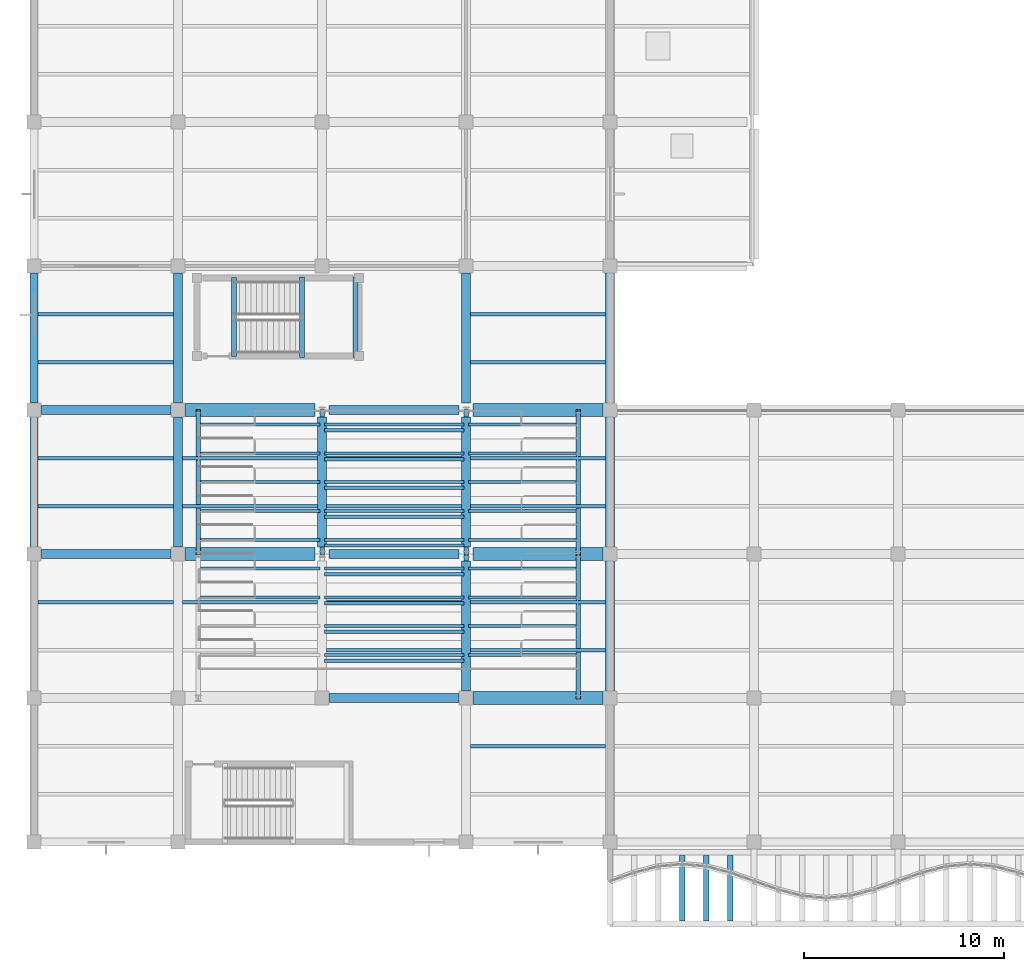
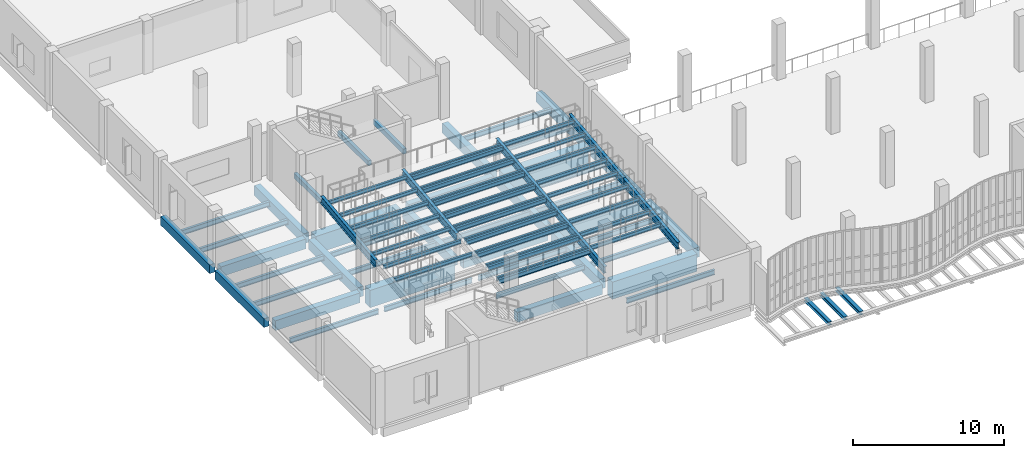
# One storey, part 12 of 108: 86 beams.
"""IFC4 building model written with IfcOpenShell, lengths in metres."""

from ifc_helpers import new_model, si_unit, direction, frame, origin, origin_2d, place, context, subcontext, project, spatial, rectangle, i_section, extrude, material, material_profile, profile_set, type_object, element, save


model = new_model("IFC4")

# Units and contexts
model_context = context("Model", 3, precision=1e-05, world=origin(), true_north=direction((0.0, 1.0)))
body_context = subcontext(model_context, "Body", "Model", "MODEL_VIEW")
ifc_project = project(units=[si_unit("LENGTHUNIT", "METRE"), si_unit("AREAUNIT", "SQUARE_METRE"), si_unit("VOLUMEUNIT", "CUBIC_METRE"), si_unit("PLANEANGLEUNIT", "RADIAN"), si_unit("MASSUNIT", "GRAM", prefix="KILO"), si_unit("THERMODYNAMICTEMPERATUREUNIT", "KELVIN"), si_unit("POWERUNIT", "WATT")], contexts=[model_context])

# Site, building, storey
site_placement = place(None, origin())
site = spatial("IfcSite", under=ifc_project, at=site_placement, CompositionType="ELEMENT")
building_placement = place(site_placement, origin())
building = spatial("IfcBuilding", under=site, at=building_placement, Name="Kaldorven Railside Theatre", CompositionType="ELEMENT")
storey_placement = place(building_placement, frame((0.0, 0.0, 5.39990234375)))
storey = spatial("IfcBuildingStorey", under=building, at=storey_placement, Name="L01", CompositionType="ELEMENT", Elevation=5.39990234375)

# Beams
ifc_material_1 = material(Name="Steel S355", Category="steel")
ifc_material_profile_1 = material_profile(ifc_material_1, i_section(OverallWidth=0.280029296875, OverallDepth=0.280029296875, WebThickness=0.010498046875, FlangeThickness=0.01806640625, at=origin_2d()), Name="HEB 280")
ifc_profile_set_1 = profile_set([ifc_material_profile_1], Name="Steel S355")
beam_type_1 = type_object("IfcBeamType", Name="BM-HEB280", PredefinedType="SPANDREL", material=ifc_profile_set_1)
for number, where, z_axis, x_axis, name in (
    (1, (40.39990234375, 15.260009765625, -0.719970703125), (0.0, 1.0, 0.0), (-1.0, 0.0, 0.0), "L01 Sinusoidal Diaphragm Rib Outrigger FOB-M004"),
    (2, (41.60009765625, 15.260009765625, -0.719970703125), (0.0, 1.0, 0.0), (-1.0, 0.0, 0.0), "L01 Sinusoidal Diaphragm Rib Outrigger FOB-M005"),
    (3, (42.800048828125, 15.260009765625, -0.719970703125), (0.0, 1.0, 0.0), (-1.0, 0.0, 0.0), "L01 Sinusoidal Diaphragm Rib Outrigger FOB-M006"),
):
    element("IfcBeam", number, at=place(storey_placement, frame(where, z_axis=z_axis, x_axis=x_axis)), inside=storey, type_object=beam_type_1, Name=name, PredefinedType="SPANDREL", context=body_context, shape_type="SweptSolid", body=[
        extrude(i_section(OverallWidth=0.280029296875, OverallDepth=0.280029296875, WebThickness=0.010498046875, FlangeThickness=0.01806640625, at=origin_2d()), origin(), (0.0, 0.0, 1.0), 3.280029296875),
    ])
ifc_material_profile_2 = material_profile(ifc_material_1, i_section(OverallWidth=0.14990234375, OverallDepth=0.300048828125, WebThickness=0.007080078125, FlangeThickness=0.0107421875, at=origin_2d()), Name="IPE 300")
ifc_profile_set_2 = profile_set([ifc_material_profile_2], Name="Steel S355")
beam_type_2 = type_object("IfcBeamType", Name="BM-IPE300", PredefinedType="JOIST", material=ifc_profile_set_2)
beam_1_placement = place(storey_placement, frame((22.510009765625, 28.56005859375, 1.090087890625), z_axis=(1.0, 0.0, 0.0), x_axis=(0.0, 1.0, 0.0)))
element("IfcBeam", 4, at=beam_1_placement, inside=storey, type_object=beam_type_2, Name="Seating Tier Transverse Bearer TBR-V3S-022", PredefinedType="JOIST", context=body_context, shape_type="SweptSolid", body=[
    extrude(i_section(OverallWidth=0.14990234375, OverallDepth=0.300048828125, WebThickness=0.007080078125, FlangeThickness=0.0107421875, at=origin_2d()), origin(), (0.0, 0.0, 1.0), 6.97998046875),
])
beam_2_placement = place(storey_placement, frame((29.7099609375, 28.56005859375, 1.090087890625), z_axis=(1.0, 0.0, 0.0), x_axis=(0.0, 1.0, 0.0)))
element("IfcBeam", 5, at=beam_2_placement, inside=storey, type_object=beam_type_2, Name="Seating Tier Transverse Bearer TBR-V3S-023", PredefinedType="JOIST", context=body_context, shape_type="SweptSolid", body=[
    extrude(i_section(OverallWidth=0.14990234375, OverallDepth=0.300048828125, WebThickness=0.007080078125, FlangeThickness=0.0107421875, at=origin_2d()), origin(), (0.0, 0.0, 1.0), 5.380126953125),
])
beam_3_placement = place(storey_placement, frame((22.510009765625, 30.0, 1.260009765625), z_axis=(1.0, 0.0, 0.0), x_axis=(0.0, 1.0, 0.0)))
element("IfcBeam", 6, at=beam_3_placement, inside=storey, type_object=beam_type_2, Name="Seating Tier Transverse Bearer TBR-V3S-032", PredefinedType="JOIST", context=body_context, shape_type="SweptSolid", body=[
    extrude(i_section(OverallWidth=0.14990234375, OverallDepth=0.300048828125, WebThickness=0.007080078125, FlangeThickness=0.0107421875, at=origin_2d()), origin(), (0.0, 0.0, 1.0), 6.97998046875),
])
beam_4_placement = place(storey_placement, frame((29.7099609375, 30.0, 1.260009765625), z_axis=(1.0, 0.0, 0.0), x_axis=(0.0, 1.0, 0.0)))
element("IfcBeam", 7, at=beam_4_placement, inside=storey, type_object=beam_type_2, Name="Seating Tier Transverse Bearer TBR-V3S-033", PredefinedType="JOIST", context=body_context, shape_type="SweptSolid", body=[
    extrude(i_section(OverallWidth=0.14990234375, OverallDepth=0.300048828125, WebThickness=0.007080078125, FlangeThickness=0.0107421875, at=origin_2d()), origin(), (0.0, 0.0, 1.0), 5.380126953125),
])
beam_5_placement = place(storey_placement, frame((16.31005859375, 31.43994140625, 1.43017578125), z_axis=(1.0, 0.0, 0.0), x_axis=(0.0, 1.0, 0.0)))
element("IfcBeam", 8, at=beam_5_placement, inside=storey, type_object=beam_type_2, Name="Seating Tier Transverse Bearer TBR-V3S-041", PredefinedType="JOIST", context=body_context, shape_type="SweptSolid", body=[
    extrude(i_section(OverallWidth=0.14990234375, OverallDepth=0.300048828125, WebThickness=0.007080078125, FlangeThickness=0.0107421875, at=origin_2d()), origin(), (0.0, 0.0, 1.0), 5.97998046875),
])
beam_6_placement = place(storey_placement, frame((22.510009765625, 31.43994140625, 1.43017578125), z_axis=(1.0, 0.0, 0.0), x_axis=(0.0, 1.0, 0.0)))
element("IfcBeam", 9, at=beam_6_placement, inside=storey, type_object=beam_type_2, Name="Seating Tier Transverse Bearer TBR-V3S-042", PredefinedType="JOIST", context=body_context, shape_type="SweptSolid", body=[
    extrude(i_section(OverallWidth=0.14990234375, OverallDepth=0.300048828125, WebThickness=0.007080078125, FlangeThickness=0.0107421875, at=origin_2d()), origin(), (0.0, 0.0, 1.0), 6.97998046875),
])
beam_7_placement = place(storey_placement, frame((29.7099609375, 31.43994140625, 1.43017578125), z_axis=(1.0, 0.0, 0.0), x_axis=(0.0, 1.0, 0.0)))
element("IfcBeam", 10, at=beam_7_placement, inside=storey, type_object=beam_type_2, Name="Seating Tier Transverse Bearer TBR-V3S-043", PredefinedType="JOIST", context=body_context, shape_type="SweptSolid", body=[
    extrude(i_section(OverallWidth=0.14990234375, OverallDepth=0.300048828125, WebThickness=0.007080078125, FlangeThickness=0.0107421875, at=origin_2d()), origin(), (0.0, 0.0, 1.0), 5.380126953125),
])
beam_8_placement = place(storey_placement, frame((16.31005859375, 32.8798828125, 1.60009765625), z_axis=(1.0, 0.0, 0.0), x_axis=(0.0, 1.0, 0.0)))
element("IfcBeam", 11, at=beam_8_placement, inside=storey, type_object=beam_type_2, Name="Seating Tier Transverse Bearer TBR-V3S-051", PredefinedType="JOIST", context=body_context, shape_type="SweptSolid", body=[
    extrude(i_section(OverallWidth=0.14990234375, OverallDepth=0.300048828125, WebThickness=0.007080078125, FlangeThickness=0.0107421875, at=origin_2d()), origin(), (0.0, 0.0, 1.0), 5.97998046875),
])
beam_9_placement = place(storey_placement, frame((22.510009765625, 32.8798828125, 1.60009765625), z_axis=(1.0, 0.0, 0.0), x_axis=(0.0, 1.0, 0.0)))
element("IfcBeam", 12, at=beam_9_placement, inside=storey, type_object=beam_type_2, Name="Seating Tier Transverse Bearer TBR-V3S-052", PredefinedType="JOIST", context=body_context, shape_type="SweptSolid", body=[
    extrude(i_section(OverallWidth=0.14990234375, OverallDepth=0.300048828125, WebThickness=0.007080078125, FlangeThickness=0.0107421875, at=origin_2d()), origin(), (0.0, 0.0, 1.0), 6.97998046875),
])
beam_10_placement = place(storey_placement, frame((29.7099609375, 32.8798828125, 1.60009765625), z_axis=(1.0, 0.0, 0.0), x_axis=(0.0, 1.0, 0.0)))
element("IfcBeam", 13, at=beam_10_placement, inside=storey, type_object=beam_type_2, Name="Seating Tier Transverse Bearer TBR-V3S-053", PredefinedType="JOIST", context=body_context, shape_type="SweptSolid", body=[
    extrude(i_section(OverallWidth=0.14990234375, OverallDepth=0.300048828125, WebThickness=0.007080078125, FlangeThickness=0.0107421875, at=origin_2d()), origin(), (0.0, 0.0, 1.0), 5.380126953125),
])
beam_11_placement = place(storey_placement, frame((16.31005859375, 34.320068359375, 1.77001953125), z_axis=(1.0, 0.0, 0.0), x_axis=(0.0, 1.0, 0.0)))
element("IfcBeam", 14, at=beam_11_placement, inside=storey, type_object=beam_type_2, Name="Seating Tier Transverse Bearer TBR-V3S-061", PredefinedType="JOIST", context=body_context, shape_type="SweptSolid", body=[
    extrude(i_section(OverallWidth=0.14990234375, OverallDepth=0.300048828125, WebThickness=0.007080078125, FlangeThickness=0.0107421875, at=origin_2d()), origin(), (0.0, 0.0, 1.0), 5.97998046875),
])
beam_12_placement = place(storey_placement, frame((22.510009765625, 34.320068359375, 1.77001953125), z_axis=(1.0, 0.0, 0.0), x_axis=(0.0, 1.0, 0.0)))
element("IfcBeam", 15, at=beam_12_placement, inside=storey, type_object=beam_type_2, Name="Seating Tier Transverse Bearer TBR-V3S-062", PredefinedType="JOIST", context=body_context, shape_type="SweptSolid", body=[
    extrude(i_section(OverallWidth=0.14990234375, OverallDepth=0.300048828125, WebThickness=0.007080078125, FlangeThickness=0.0107421875, at=origin_2d()), origin(), (0.0, 0.0, 1.0), 6.97998046875),
])
beam_13_placement = place(storey_placement, frame((29.7099609375, 34.320068359375, 1.77001953125), z_axis=(1.0, 0.0, 0.0), x_axis=(0.0, 1.0, 0.0)))
element("IfcBeam", 16, at=beam_13_placement, inside=storey, type_object=beam_type_2, Name="Seating Tier Transverse Bearer TBR-V3S-063", PredefinedType="JOIST", context=body_context, shape_type="SweptSolid", body=[
    extrude(i_section(OverallWidth=0.14990234375, OverallDepth=0.300048828125, WebThickness=0.007080078125, FlangeThickness=0.0107421875, at=origin_2d()), origin(), (0.0, 0.0, 1.0), 5.380126953125),
])
beam_14_placement = place(storey_placement, frame((16.31005859375, 35.760009765625, 1.940185546875), z_axis=(1.0, 0.0, 0.0), x_axis=(0.0, 1.0, 0.0)))
element("IfcBeam", 17, at=beam_14_placement, inside=storey, type_object=beam_type_2, Name="Seating Tier Transverse Bearer TBR-V3S-071", PredefinedType="JOIST", context=body_context, shape_type="SweptSolid", body=[
    extrude(i_section(OverallWidth=0.14990234375, OverallDepth=0.300048828125, WebThickness=0.007080078125, FlangeThickness=0.0107421875, at=origin_2d()), origin(), (0.0, 0.0, 1.0), 5.97998046875),
])
beam_15_placement = place(storey_placement, frame((22.510009765625, 35.760009765625, 1.940185546875), z_axis=(1.0, 0.0, 0.0), x_axis=(0.0, 1.0, 0.0)))
element("IfcBeam", 18, at=beam_15_placement, inside=storey, type_object=beam_type_2, Name="Seating Tier Transverse Bearer TBR-V3S-072", PredefinedType="JOIST", context=body_context, shape_type="SweptSolid", body=[
    extrude(i_section(OverallWidth=0.14990234375, OverallDepth=0.300048828125, WebThickness=0.007080078125, FlangeThickness=0.0107421875, at=origin_2d()), origin(), (0.0, 0.0, 1.0), 6.97998046875),
])
beam_16_placement = place(storey_placement, frame((29.7099609375, 35.760009765625, 1.940185546875), z_axis=(1.0, 0.0, 0.0), x_axis=(0.0, 1.0, 0.0)))
element("IfcBeam", 19, at=beam_16_placement, inside=storey, type_object=beam_type_2, Name="Seating Tier Transverse Bearer TBR-V3S-073", PredefinedType="JOIST", context=body_context, shape_type="SweptSolid", body=[
    extrude(i_section(OverallWidth=0.14990234375, OverallDepth=0.300048828125, WebThickness=0.007080078125, FlangeThickness=0.0107421875, at=origin_2d()), origin(), (0.0, 0.0, 1.0), 5.380126953125),
])
beam_17_placement = place(storey_placement, frame((16.31005859375, 37.199951171875, 2.110107421875), z_axis=(1.0, 0.0, 0.0), x_axis=(0.0, 1.0, 0.0)))
element("IfcBeam", 20, at=beam_17_placement, inside=storey, type_object=beam_type_2, Name="Seating Tier Transverse Bearer TBR-V3S-081", PredefinedType="JOIST", context=body_context, shape_type="SweptSolid", body=[
    extrude(i_section(OverallWidth=0.14990234375, OverallDepth=0.300048828125, WebThickness=0.007080078125, FlangeThickness=0.0107421875, at=origin_2d()), origin(), (0.0, 0.0, 1.0), 5.97998046875),
])
beam_18_placement = place(storey_placement, frame((22.510009765625, 37.199951171875, 2.110107421875), z_axis=(1.0, 0.0, 0.0), x_axis=(0.0, 1.0, 0.0)))
element("IfcBeam", 21, at=beam_18_placement, inside=storey, type_object=beam_type_2, Name="Seating Tier Transverse Bearer TBR-V3S-082", PredefinedType="JOIST", context=body_context, shape_type="SweptSolid", body=[
    extrude(i_section(OverallWidth=0.14990234375, OverallDepth=0.300048828125, WebThickness=0.007080078125, FlangeThickness=0.0107421875, at=origin_2d()), origin(), (0.0, 0.0, 1.0), 6.97998046875),
])
beam_19_placement = place(storey_placement, frame((29.7099609375, 37.199951171875, 2.110107421875), z_axis=(1.0, 0.0, 0.0), x_axis=(0.0, 1.0, 0.0)))
element("IfcBeam", 22, at=beam_19_placement, inside=storey, type_object=beam_type_2, Name="Seating Tier Transverse Bearer TBR-V3S-083", PredefinedType="JOIST", context=body_context, shape_type="SweptSolid", body=[
    extrude(i_section(OverallWidth=0.14990234375, OverallDepth=0.300048828125, WebThickness=0.007080078125, FlangeThickness=0.0107421875, at=origin_2d()), origin(), (0.0, 0.0, 1.0), 5.380126953125),
])
beam_20_placement = place(storey_placement, frame((16.31005859375, 38.639892578125, 2.280029296875), z_axis=(1.0, 0.0, 0.0), x_axis=(0.0, 1.0, 0.0)))
element("IfcBeam", 23, at=beam_20_placement, inside=storey, type_object=beam_type_2, Name="Seating Tier Transverse Bearer TBR-V3S-091", PredefinedType="JOIST", context=body_context, shape_type="SweptSolid", body=[
    extrude(i_section(OverallWidth=0.14990234375, OverallDepth=0.300048828125, WebThickness=0.007080078125, FlangeThickness=0.0107421875, at=origin_2d()), origin(), (0.0, 0.0, 1.0), 5.97998046875),
])
beam_21_placement = place(storey_placement, frame((22.510009765625, 38.639892578125, 2.280029296875), z_axis=(1.0, 0.0, 0.0), x_axis=(0.0, 1.0, 0.0)))
element("IfcBeam", 24, at=beam_21_placement, inside=storey, type_object=beam_type_2, Name="Seating Tier Transverse Bearer TBR-V3S-092", PredefinedType="JOIST", context=body_context, shape_type="SweptSolid", body=[
    extrude(i_section(OverallWidth=0.14990234375, OverallDepth=0.300048828125, WebThickness=0.007080078125, FlangeThickness=0.0107421875, at=origin_2d()), origin(), (0.0, 0.0, 1.0), 6.97998046875),
])
beam_22_placement = place(storey_placement, frame((29.7099609375, 38.639892578125, 2.280029296875), z_axis=(1.0, 0.0, 0.0), x_axis=(0.0, 1.0, 0.0)))
element("IfcBeam", 25, at=beam_22_placement, inside=storey, type_object=beam_type_2, Name="Seating Tier Transverse Bearer TBR-V3S-093", PredefinedType="JOIST", context=body_context, shape_type="SweptSolid", body=[
    extrude(i_section(OverallWidth=0.14990234375, OverallDepth=0.300048828125, WebThickness=0.007080078125, FlangeThickness=0.0107421875, at=origin_2d()), origin(), (0.0, 0.0, 1.0), 5.380126953125),
])
beam_23_placement = place(storey_placement, frame((16.31005859375, 40.080078125, 2.4501953125), z_axis=(1.0, 0.0, 0.0), x_axis=(0.0, 1.0, 0.0)))
element("IfcBeam", 26, at=beam_23_placement, inside=storey, type_object=beam_type_2, Name="Seating Tier Transverse Bearer TBR-V3S-101", PredefinedType="JOIST", context=body_context, shape_type="SweptSolid", body=[
    extrude(i_section(OverallWidth=0.14990234375, OverallDepth=0.300048828125, WebThickness=0.007080078125, FlangeThickness=0.0107421875, at=origin_2d()), origin(), (0.0, 0.0, 1.0), 5.97998046875),
])
beam_24_placement = place(storey_placement, frame((22.510009765625, 40.080078125, 2.4501953125), z_axis=(1.0, 0.0, 0.0), x_axis=(0.0, 1.0, 0.0)))
element("IfcBeam", 27, at=beam_24_placement, inside=storey, type_object=beam_type_2, Name="Seating Tier Transverse Bearer TBR-V3S-102", PredefinedType="JOIST", context=body_context, shape_type="SweptSolid", body=[
    extrude(i_section(OverallWidth=0.14990234375, OverallDepth=0.300048828125, WebThickness=0.007080078125, FlangeThickness=0.0107421875, at=origin_2d()), origin(), (0.0, 0.0, 1.0), 6.97998046875),
])
beam_25_placement = place(storey_placement, frame((29.7099609375, 40.080078125, 2.4501953125), z_axis=(1.0, 0.0, 0.0), x_axis=(0.0, 1.0, 0.0)))
element("IfcBeam", 28, at=beam_25_placement, inside=storey, type_object=beam_type_2, Name="Seating Tier Transverse Bearer TBR-V3S-103", PredefinedType="JOIST", context=body_context, shape_type="SweptSolid", body=[
    extrude(i_section(OverallWidth=0.14990234375, OverallDepth=0.300048828125, WebThickness=0.007080078125, FlangeThickness=0.0107421875, at=origin_2d()), origin(), (0.0, 0.0, 1.0), 5.380126953125),
])
ifc_material_profile_3 = material_profile(ifc_material_1, i_section(OverallWidth=0.169921875, OverallDepth=0.360107421875, WebThickness=0.008056640625, FlangeThickness=0.0126953125, at=origin_2d()), Name="IPE 360")
ifc_profile_set_3 = profile_set([ifc_material_profile_3], Name="Steel S355")
beam_type_3 = type_object("IfcBeamType", Name="BM-IPE360", PredefinedType="JOIST", material=ifc_profile_set_3)
for number, where, z_axis, x_axis, name in (
    (29, (22.510009765625, 28.27197265625, 1.06005859375), (1.0, 0.0, 0.0), (0.0, 1.0, 0.0), "Seating Tier Front Step Bearer TBF-V3S-02"),
    (30, (22.510009765625, 29.7119140625, 1.22998046875), (1.0, 0.0, 0.0), (0.0, 1.0, 0.0), "Seating Tier Front Step Bearer TBF-V3S-03"),
    (31, (22.510009765625, 31.152099609375, 1.400146484375), (1.0, 0.0, 0.0), (0.0, 1.0, 0.0), "Seating Tier Front Step Bearer TBF-V3S-04"),
    (32, (22.510009765625, 32.592041015625, 1.570068359375), (1.0, 0.0, 0.0), (0.0, 1.0, 0.0), "Seating Tier Front Step Bearer TBF-V3S-05"),
    (33, (22.510009765625, 34.031982421875, 1.739990234375), (1.0, 0.0, 0.0), (0.0, 1.0, 0.0), "Seating Tier Front Step Bearer TBF-V3S-06"),
    (34, (22.510009765625, 35.471923828125, 1.91015625), (1.0, 0.0, 0.0), (0.0, 1.0, 0.0), "Seating Tier Front Step Bearer TBF-V3S-07"),
    (35, (22.510009765625, 36.912109375, 2.080078125), (1.0, 0.0, 0.0), (0.0, 1.0, 0.0), "Seating Tier Front Step Bearer TBF-V3S-08"),
    (36, (22.510009765625, 38.35205078125, 2.25), (1.0, 0.0, 0.0), (0.0, 1.0, 0.0), "Seating Tier Front Step Bearer TBF-V3S-09"),
    (37, (22.510009765625, 39.7919921875, 2.420166015625), (1.0, 0.0, 0.0), (0.0, 1.0, 0.0), "Seating Tier Front Step Bearer TBF-V3S-10"),
):
    element("IfcBeam", number, at=place(storey_placement, frame(where, z_axis=z_axis, x_axis=x_axis)), inside=storey, type_object=beam_type_3, Name=name, PredefinedType="JOIST", context=body_context, shape_type="SweptSolid", body=[
        extrude(i_section(OverallWidth=0.169921875, OverallDepth=0.360107421875, WebThickness=0.008056640625, FlangeThickness=0.0126953125, at=origin_2d()), origin(), (0.0, 0.0, 1.0), 6.97998046875),
    ])
ifc_material_profile_4 = material_profile(ifc_material_1, i_section(OverallWidth=0.179931640625, OverallDepth=0.39990234375, WebThickness=0.008544921875, FlangeThickness=0.013427734375, at=origin_2d()), Name="IPE 400")
ifc_profile_set_4 = profile_set([ifc_material_profile_4], Name="Steel S355")
beam_type_4 = type_object("IfcBeamType", Name="BM-IPE400", PredefinedType="JOIST", material=ifc_profile_set_4)
beam_26_placement = place(storey_placement, frame((29.824951171875, 24.0, -0.47998046875), z_axis=(1.0, 0.0, 0.0), x_axis=(0.0, 1.0, 0.0)))
element("IfcBeam", 38, at=beam_26_placement, inside=storey, type_object=beam_type_4, Name="L01 Secondary Floor Joist JG-L01-029-0240", PredefinedType="JOIST", context=body_context, shape_type="SweptSolid", body=[
    extrude(i_section(OverallWidth=0.179931640625, OverallDepth=0.39990234375, WebThickness=0.008544921875, FlangeThickness=0.013427734375, at=origin_2d()), origin(), (0.0, 0.0, 1.0), 6.75),
])
beam_27_placement = place(storey_placement, frame((8.199951171875, 31.199951171875, -0.47998046875), z_axis=(1.0, 0.0, 0.0), x_axis=(0.0, 1.0, 0.0)))
element("IfcBeam", 39, at=beam_27_placement, inside=storey, type_object=beam_type_4, Name="L01 Secondary Floor Joist JG-L01-008-0312", PredefinedType="JOIST", context=body_context, shape_type="SweptSolid", body=[
    extrude(i_section(OverallWidth=0.179931640625, OverallDepth=0.39990234375, WebThickness=0.008544921875, FlangeThickness=0.013427734375, at=origin_2d()), origin(), (0.0, 0.0, 1.0), 6.775146484375),
])
for number, where, z_axis, x_axis, name in (
    (40, (15.425048828125, 31.199951171875, -0.47998046875), (1.0, 0.0, 0.0), (0.0, 1.0, 0.0), "L01 Secondary Floor Joist JG-L01-015-0312"),
    (41, (22.625, 28.800048828125, -0.47998046875), (1.0, 0.0, 0.0), (0.0, 1.0, 0.0), "L01 Secondary Floor Joist JG-L01-022-0288"),
    (42, (22.625, 31.199951171875, -0.47998046875), (1.0, 0.0, 0.0), (0.0, 1.0, 0.0), "L01 Secondary Floor Joist JG-L01-022-0312"),
    (43, (29.824951171875, 28.800048828125, -0.47998046875), (1.0, 0.0, 0.0), (0.0, 1.0, 0.0), "L01 Secondary Floor Joist JG-L01-029-0288"),
    (44, (29.824951171875, 31.199951171875, -0.47998046875), (1.0, 0.0, 0.0), (0.0, 1.0, 0.0), "L01 Secondary Floor Joist JG-L01-029-0312"),
):
    element("IfcBeam", number, at=place(storey_placement, frame(where, z_axis=z_axis, x_axis=x_axis)), inside=storey, type_object=beam_type_4, Name=name, PredefinedType="JOIST", context=body_context, shape_type="SweptSolid", body=[
        extrude(i_section(OverallWidth=0.179931640625, OverallDepth=0.39990234375, WebThickness=0.008544921875, FlangeThickness=0.013427734375, at=origin_2d()), origin(), (0.0, 0.0, 1.0), 6.75),
    ])
for number, where, z_axis, x_axis, name in (
    (45, (8.199951171875, 36.0, -0.47998046875), (1.0, 0.0, 0.0), (0.0, 1.0, 0.0), "L01 Secondary Floor Joist JG-L01-008-0360"),
    (46, (8.199951171875, 38.39990234375, -0.47998046875), (1.0, 0.0, 0.0), (0.0, 1.0, 0.0), "L01 Secondary Floor Joist JG-L01-008-0384"),
):
    element("IfcBeam", number, at=place(storey_placement, frame(where, z_axis=z_axis, x_axis=x_axis)), inside=storey, type_object=beam_type_4, Name=name, PredefinedType="JOIST", context=body_context, shape_type="SweptSolid", body=[
        extrude(i_section(OverallWidth=0.179931640625, OverallDepth=0.39990234375, WebThickness=0.008544921875, FlangeThickness=0.013427734375, at=origin_2d()), origin(), (0.0, 0.0, 1.0), 6.775146484375),
    ])
for number, where, z_axis, x_axis, name in (
    (47, (15.425048828125, 36.0, -0.47998046875), (1.0, 0.0, 0.0), (0.0, 1.0, 0.0), "L01 Secondary Floor Joist JG-L01-015-0360"),
    (48, (15.425048828125, 38.39990234375, -0.47998046875), (1.0, 0.0, 0.0), (0.0, 1.0, 0.0), "L01 Secondary Floor Joist JG-L01-015-0384"),
    (49, (22.625, 36.0, -0.47998046875), (1.0, 0.0, 0.0), (0.0, 1.0, 0.0), "L01 Secondary Floor Joist JG-L01-022-0360"),
    (50, (22.625, 38.39990234375, -0.47998046875), (1.0, 0.0, 0.0), (0.0, 1.0, 0.0), "L01 Secondary Floor Joist JG-L01-022-0384"),
    (51, (29.824951171875, 36.0, -0.47998046875), (1.0, 0.0, 0.0), (0.0, 1.0, 0.0), "L01 Secondary Floor Joist JG-L01-029-0360"),
    (52, (29.824951171875, 38.39990234375, -0.47998046875), (1.0, 0.0, 0.0), (0.0, 1.0, 0.0), "L01 Secondary Floor Joist JG-L01-029-0384"),
):
    element("IfcBeam", number, at=place(storey_placement, frame(where, z_axis=z_axis, x_axis=x_axis)), inside=storey, type_object=beam_type_4, Name=name, PredefinedType="JOIST", context=body_context, shape_type="SweptSolid", body=[
        extrude(i_section(OverallWidth=0.179931640625, OverallDepth=0.39990234375, WebThickness=0.008544921875, FlangeThickness=0.013427734375, at=origin_2d()), origin(), (0.0, 0.0, 1.0), 6.75),
    ])
for number, where, z_axis, x_axis, name in (
    (53, (8.199951171875, 43.199951171875, -0.47998046875), (1.0, 0.0, 0.0), (0.0, 1.0, 0.0), "L01 Secondary Floor Joist JG-L01-008-0432"),
    (54, (8.199951171875, 45.60009765625, -0.47998046875), (1.0, 0.0, 0.0), (0.0, 1.0, 0.0), "L01 Secondary Floor Joist JG-L01-008-0456"),
):
    element("IfcBeam", number, at=place(storey_placement, frame(where, z_axis=z_axis, x_axis=x_axis)), inside=storey, type_object=beam_type_4, Name=name, PredefinedType="JOIST", context=body_context, shape_type="SweptSolid", body=[
        extrude(i_section(OverallWidth=0.179931640625, OverallDepth=0.39990234375, WebThickness=0.008544921875, FlangeThickness=0.013427734375, at=origin_2d()), origin(), (0.0, 0.0, 1.0), 6.775146484375),
    ])
for number, where, z_axis, x_axis, name in (
    (55, (29.824951171875, 43.199951171875, -0.47998046875), (1.0, 0.0, 0.0), (0.0, 1.0, 0.0), "L01 Secondary Floor Joist JG-L01-029-0432"),
    (56, (29.824951171875, 45.60009765625, -0.47998046875), (1.0, 0.0, 0.0), (0.0, 1.0, 0.0), "L01 Secondary Floor Joist JG-L01-029-0456"),
):
    element("IfcBeam", number, at=place(storey_placement, frame(where, z_axis=z_axis, x_axis=x_axis)), inside=storey, type_object=beam_type_4, Name=name, PredefinedType="JOIST", context=body_context, shape_type="SweptSolid", body=[
        extrude(i_section(OverallWidth=0.179931640625, OverallDepth=0.39990234375, WebThickness=0.008544921875, FlangeThickness=0.013427734375, at=origin_2d()), origin(), (0.0, 0.0, 1.0), 6.75),
    ])
ifc_material_profile_5 = material_profile(ifc_material_1, i_section(OverallWidth=0.219970703125, OverallDepth=0.60009765625, WebThickness=0.011962890625, FlangeThickness=0.01904296875, at=origin_2d()), Name="IPE 600")
ifc_profile_set_5 = profile_set([ifc_material_profile_5], Name="Steel S355")
beam_type_5 = type_object("IfcBeamType", Name="BM-IPE600", PredefinedType="USERDEFINED", material=ifc_profile_set_5)
for number, where, z_axis, x_axis, name in (
    (57, (16.199951171875, 33.60009765625, 1.4951171875), (0.0, 0.993101787263, 0.117255448213), (-1.0, 0.0, 0.0), "Auditorium Raker Girder RKG-V3S-12"),
    (58, (22.39990234375, 33.60009765625, 1.4951171875), (0.0, 0.993101787263, 0.117255448213), (-1.0, 0.0, 0.0), "Auditorium Raker Girder RKG-V3S-22"),
):
    element("IfcBeam", number, at=place(storey_placement, frame(where, z_axis=z_axis, x_axis=x_axis)), inside=storey, type_object=beam_type_5, Name=name, ObjectType="RAKER BEAM", PredefinedType="USERDEFINED", context=body_context, shape_type="SweptSolid", body=[
        extrude(i_section(OverallWidth=0.219970703125, OverallDepth=0.60009765625, WebThickness=0.011962890625, FlangeThickness=0.01904296875, at=origin_2d()), origin(), (0.0, 0.0, 1.0), 7.25),
    ])
beam_28_placement = place(storey_placement, frame((29.60009765625, 26.39990234375, 0.64501953125), z_axis=(0.0, 0.993102250228, 0.117251527034), x_axis=(-1.0, 0.0, 0.0)))
element("IfcBeam", 59, at=beam_28_placement, inside=storey, type_object=beam_type_5, Name="Auditorium Raker Girder RKG-V3S-31", ObjectType="RAKER BEAM", PredefinedType="USERDEFINED", context=body_context, shape_type="SweptSolid", body=[
    extrude(i_section(OverallWidth=0.219970703125, OverallDepth=0.60009765625, WebThickness=0.011962890625, FlangeThickness=0.01904296875, at=origin_2d()), origin(), (0.0, 0.0, 1.0), 7.250244140625),
])
beam_29_placement = place(storey_placement, frame((29.60009765625, 33.60009765625, 1.4951171875), z_axis=(0.0, 0.993101787263, 0.117255448213), x_axis=(-1.0, 0.0, 0.0)))
element("IfcBeam", 60, at=beam_29_placement, inside=storey, type_object=beam_type_5, Name="Auditorium Raker Girder RKG-V3S-32", ObjectType="RAKER BEAM", PredefinedType="USERDEFINED", context=body_context, shape_type="SweptSolid", body=[
    extrude(i_section(OverallWidth=0.219970703125, OverallDepth=0.60009765625, WebThickness=0.011962890625, FlangeThickness=0.01904296875, at=origin_2d()), origin(), (0.0, 0.0, 1.0), 7.25),
])
beam_30_placement = place(storey_placement, frame((35.199951171875, 26.39990234375, 0.64501953125), z_axis=(0.0, 0.993102250228, 0.117251527034), x_axis=(-1.0, 0.0, 0.0)))
element("IfcBeam", 61, at=beam_30_placement, inside=storey, type_object=beam_type_5, Name="Auditorium Raker Girder RKG-V3S-41", ObjectType="RAKER BEAM", PredefinedType="USERDEFINED", context=body_context, shape_type="SweptSolid", body=[
    extrude(i_section(OverallWidth=0.219970703125, OverallDepth=0.60009765625, WebThickness=0.011962890625, FlangeThickness=0.01904296875, at=origin_2d()), origin(), (0.0, 0.0, 1.0), 7.250244140625),
])
beam_31_placement = place(storey_placement, frame((35.199951171875, 33.60009765625, 1.4951171875), z_axis=(0.0, 0.993101787263, 0.117255448213), x_axis=(-1.0, 0.0, 0.0)))
element("IfcBeam", 62, at=beam_31_placement, inside=storey, type_object=beam_type_5, Name="Auditorium Raker Girder RKG-V3S-42", ObjectType="RAKER BEAM", PredefinedType="USERDEFINED", context=body_context, shape_type="SweptSolid", body=[
    extrude(i_section(OverallWidth=0.219970703125, OverallDepth=0.60009765625, WebThickness=0.011962890625, FlangeThickness=0.01904296875, at=origin_2d()), origin(), (0.0, 0.0, 1.0), 7.25),
])
ifc_material_2 = material(Name="Concrete C40/50", Category="concrete")
ifc_material_profile_6 = material_profile(ifc_material_2, rectangle(XDim=0.25, YDim=0.39990234375, at=origin_2d()), Name="RC 250x400")
ifc_profile_set_6 = profile_set([ifc_material_profile_6], Name="Concrete C40/50")
beam_type_6 = type_object("IfcBeamType", Name="BM-RC250x400", PredefinedType="LINTEL", material=ifc_profile_set_6)
beam_32_placement = place(storey_placement, frame((18.0, 43.469970703125, -0.344970703125), z_axis=(0.0, 1.0, 0.0), x_axis=(-1.0, 0.0, 0.0)))
element("IfcBeam", 63, at=beam_32_placement, inside=storey, type_object=beam_type_6, Name="Stair ST-02 L01 Landing Trimmer Beam", PredefinedType="LINTEL", context=body_context, shape_type="SweptSolid", body=[
    extrude(rectangle(XDim=0.25, YDim=0.39990234375, at=origin_2d()), origin(), (0.0, 0.0, 1.0), 3.9599609375),
])
for number, where, z_axis, x_axis, name in (
    (64, (21.385009765625, 43.43994140625, 1.85009765625), (0.0, 1.0, 0.0), (-1.0, 0.0, 0.0), "Stair ST-02 L01 Half-Landing Bearer"),
    (65, (24.080078125, 43.43994140625, 1.85009765625), (0.0, 1.0, 0.0), (-1.0, 0.0, 0.0), "Stair ST-02 L01 Half-Landing Bearer"),
):
    element("IfcBeam", number, at=place(storey_placement, frame(where, z_axis=z_axis, x_axis=x_axis)), inside=storey, type_object=beam_type_6, Name=name, PredefinedType="LINTEL", context=body_context, shape_type="SweptSolid", body=[
        extrude(rectangle(XDim=0.25, YDim=0.39990234375, at=origin_2d()), origin(), (0.0, 0.0, 1.0), 4.02001953125),
    ])
ifc_material_profile_7 = material_profile(ifc_material_2, rectangle(XDim=0.39990234375, YDim=0.699951171875, at=origin_2d()), Name="RC 400x700")
ifc_profile_set_7 = profile_set([ifc_material_profile_7], Name="Concrete C40/50")
beam_type_7 = type_object("IfcBeamType", Name="BM-RC400x700", PredefinedType="BEAM", material=ifc_profile_set_7)
for number, where, z_axis, x_axis, name in (
    (66, (8.0, 33.949951171875, -0.6298828125), (0.0, 1.0, 0.0), (-1.0, 0.0, 0.0), "L01 Girder BGY-L01-008-033-72"),
    (67, (8.0, 41.14990234375, -0.6298828125), (0.0, 1.0, 0.0), (-1.0, 0.0, 0.0), "L01 Girder BGY-L01-008-040-72"),
):
    element("IfcBeam", number, at=place(storey_placement, frame(where, z_axis=z_axis, x_axis=x_axis)), inside=storey, type_object=beam_type_7, Name=name, PredefinedType="BEAM", context=body_context, shape_type="SweptSolid", body=[
        extrude(rectangle(XDim=0.39990234375, YDim=0.699951171875, at=origin_2d()), origin(), (0.0, 0.0, 1.0), 6.5),
    ])
ifc_material_profile_8 = material_profile(ifc_material_2, rectangle(XDim=0.449951171875, YDim=0.800048828125, at=origin_2d()), Name="RC 450x800")
ifc_profile_set_8 = profile_set([ifc_material_profile_8], Name="Concrete C40/50")
beam_type_8 = type_object("IfcBeamType", Name="BM-RC450x800", PredefinedType="BEAM", material=ifc_profile_set_8)
for number, where, z_axis, x_axis, name in (
    (68, (22.75, 26.39990234375, -0.679931640625), (1.0, 0.0, 0.0), (0.0, 1.0, 0.0), "L01 Girder BGX-L01-022-026"),
    (69, (29.60009765625, 26.75, -0.679931640625), (0.0, 1.0, 0.0), (-1.0, 0.0, 0.0), "L01 Girder BGY-L01-029-026-72"),
    (70, (36.800048828125, 26.75, -0.699951171875), (0.0, 1.0, 0.0), (-1.0, 0.0, 0.0), "L01 Girder BGY-L01-036-026-72"),
    (71, (8.35009765625, 33.60009765625, -0.679931640625), (1.0, 0.0, 0.0), (0.0, 1.0, 0.0), "L01 Girder BGX-L01-008-033"),
    (72, (15.199951171875, 33.949951171875, -0.679931640625), (0.0, 1.0, 0.0), (-1.0, 0.0, 0.0), "L01 Girder BGY-L01-015-033-72"),
    (73, (22.75, 33.60009765625, -0.679931640625), (1.0, 0.0, 0.0), (0.0, 1.0, 0.0), "L01 Girder BGX-L01-022-033"),
    (74, (22.39990234375, 33.949951171875, -0.679931640625), (0.0, 1.0, 0.0), (-1.0, 0.0, 0.0), "L01 Girder BGY-L01-022-033-72"),
    (75, (29.60009765625, 33.949951171875, -0.679931640625), (0.0, 1.0, 0.0), (-1.0, 0.0, 0.0), "L01 Girder BGY-L01-029-033-72"),
    (76, (36.800048828125, 33.949951171875, -0.699951171875), (0.0, 1.0, 0.0), (-1.0, 0.0, 0.0), "L01 Girder BGY-L01-036-033-72"),
    (77, (8.35009765625, 40.800048828125, -0.679931640625), (1.0, 0.0, 0.0), (0.0, 1.0, 0.0), "L01 Girder BGX-L01-008-040"),
    (78, (15.199951171875, 41.14990234375, -0.679931640625), (0.0, 1.0, 0.0), (-1.0, 0.0, 0.0), "L01 Girder BGY-L01-015-040-72"),
    (79, (22.75, 40.800048828125, -0.679931640625), (1.0, 0.0, 0.0), (0.0, 1.0, 0.0), "L01 Girder BGX-L01-022-040"),
    (80, (29.60009765625, 41.14990234375, -0.679931640625), (0.0, 1.0, 0.0), (-1.0, 0.0, 0.0), "L01 Girder BGY-L01-029-040-72"),
    (81, (36.800048828125, 41.14990234375, -0.679931640625), (0.0, 1.0, 0.0), (-1.0, 0.0, 0.0), "L01 Girder BGY-L01-036-040-72"),
):
    element("IfcBeam", number, at=place(storey_placement, frame(where, z_axis=z_axis, x_axis=x_axis)), inside=storey, type_object=beam_type_8, Name=name, PredefinedType="BEAM", context=body_context, shape_type="SweptSolid", body=[
        extrude(rectangle(XDim=0.449951171875, YDim=0.800048828125, at=origin_2d()), origin(), (0.0, 0.0, 1.0), 6.5),
    ])
ifc_material_profile_9 = material_profile(ifc_material_2, rectangle(XDim=0.64990234375, YDim=1.39990234375, at=origin_2d()), Name="RC 650x1400")
ifc_profile_set_9 = profile_set([ifc_material_profile_9], Name="Concrete C40/50")
beam_type_9 = type_object("IfcBeamType", Name="BM-RC650x1400", PredefinedType="BEAM", material=ifc_profile_set_9)
for number, where, z_axis, x_axis, name in (
    (82, (29.949951171875, 26.39990234375, -0.97998046875), (1.0, 0.0, 0.0), (0.0, 1.0, 0.0), "L01 Girder BGX-L01-029-026"),
    (83, (15.550048828125, 33.60009765625, -0.97998046875), (1.0, 0.0, 0.0), (0.0, 1.0, 0.0), "L01 Girder BGX-L01-015-033"),
    (84, (29.949951171875, 33.60009765625, -0.97998046875), (1.0, 0.0, 0.0), (0.0, 1.0, 0.0), "L01 Girder BGX-L01-029-033"),
    (85, (15.550048828125, 40.800048828125, -0.97998046875), (1.0, 0.0, 0.0), (0.0, 1.0, 0.0), "L01 Girder BGX-L01-015-040"),
    (86, (29.949951171875, 40.800048828125, -0.97998046875), (1.0, 0.0, 0.0), (0.0, 1.0, 0.0), "L01 Girder BGX-L01-029-040"),
):
    element("IfcBeam", number, at=place(storey_placement, frame(where, z_axis=z_axis, x_axis=x_axis)), inside=storey, type_object=beam_type_9, Name=name, PredefinedType="BEAM", context=body_context, shape_type="SweptSolid", body=[
        extrude(rectangle(XDim=0.64990234375, YDim=1.39990234375, at=origin_2d()), origin(), (0.0, 0.0, 1.0), 6.5),
    ])

save(model, "model.ifc")
